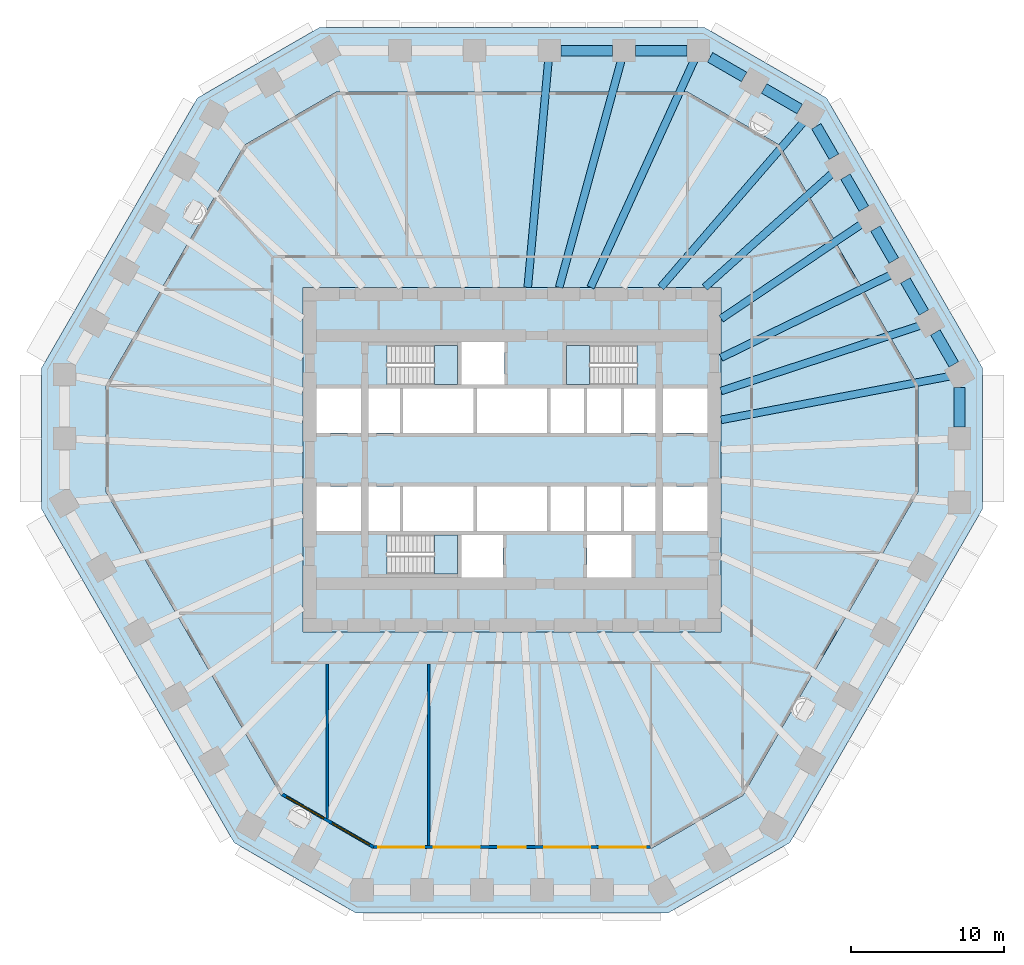
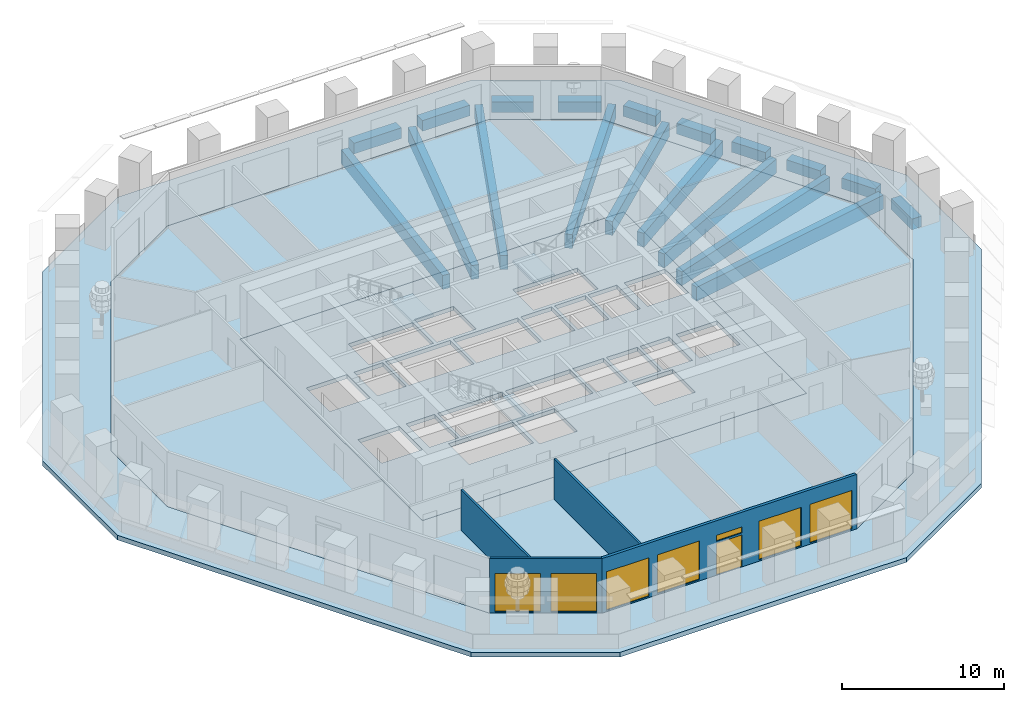
# One storey, part 2 of 12: 19 beams, 7 windows, 6 slabs, 4 walls, 1 door, 8 openings, 3 elements without a shape of their own.
"""IFC4 building model written with IfcOpenShell, lengths in metres."""

from ifc_helpers import new_model, si_unit, direction, frame, frame_2d, origin, origin_2d, place, context, subcontext, project, spatial, polyline, rectangle, outline, extrude, material, layer, layer_set, material_profile, profile_set, type_object, element, fill, aggregate, save


model = new_model("IFC4")

# Units and contexts
model_context = context("Model", 3, precision=1e-05, world=origin(), true_north=direction((0.0, 1.0)))
body_context = subcontext(model_context, "Body", "Model", "MODEL_VIEW")
ifc_project = project(units=[si_unit("LENGTHUNIT", "METRE"), si_unit("AREAUNIT", "SQUARE_METRE"), si_unit("VOLUMEUNIT", "CUBIC_METRE"), si_unit("PLANEANGLEUNIT", "RADIAN"), si_unit("MASSUNIT", "GRAM", prefix="KILO")], contexts=[model_context])

# Site, building, storey
site_placement = place(None, origin())
site = spatial("IfcSite", under=ifc_project, at=site_placement, CompositionType="ELEMENT")
building_placement = place(site_placement, origin())
building = spatial("IfcBuilding", under=site, at=building_placement, Name="Frailejon Research Tower", CompositionType="ELEMENT")
storey_placement = place(building_placement, frame((0.0, 0.0, 58.60009765625)))
storey = spatial("IfcBuildingStorey", under=building, at=storey_placement, Name="L13", CompositionType="ELEMENT", Elevation=58.60009765625)

# Beams
ifc_material_1 = material(Name="Concrete C60/75", Category="concrete")
ifc_material_profile_1 = material_profile(ifc_material_1, rectangle(XDim=0.5, YDim=1.050048828125, at=origin_2d()), Name="Girder 500x1050")
ifc_profile_set_1 = profile_set([ifc_material_profile_1], Name="Concrete C60/75")
beam_type_1 = type_object("IfcBeamType", Name="Girder 500x1050", PredefinedType="BEAM", material=ifc_profile_set_1)
beam_1_placement = place(storey_placement, frame((28.578369140625, 5.44970703125, -0.8251953125), z_axis=(-0.982297344318, -0.187328394395, 0.0), x_axis=(0.187328394395, -0.982297344318, 0.0)))
element("IfcBeam", 1, at=beam_1_placement, inside=storey, type_object=beam_type_1, Name="Girder 500x1050", PredefinedType="BEAM", context=body_context, shape_type="SweptSolid", body=[
    extrude(rectangle(XDim=0.5, YDim=1.050048828125, at=origin_2d()), origin(), (0.0, 0.0, 1.0), 15.197509765625),
])
beam_2_placement = place(storey_placement, frame((26.66943359375, 8.766357421875, -0.8251953125), z_axis=(-0.949995064088, -0.312264916712, 0.0), x_axis=(0.312264916712, -0.949995064088, 0.0)))
element("IfcBeam", 2, at=beam_2_placement, inside=storey, type_object=beam_type_1, Name="Girder 500x1050", PredefinedType="BEAM", context=body_context, shape_type="SweptSolid", body=[
    extrude(rectangle(XDim=0.5, YDim=1.050048828125, at=origin_2d()), origin(), (0.0, 0.0, 1.0), 13.704833984375),
])
beam_3_placement = place(storey_placement, frame((24.7578125, 12.083251953125, -0.8251953125), z_axis=(-0.898683953103, -0.43859679939, 0.0), x_axis=(0.43859679939, -0.898683953103, 0.0)))
element("IfcBeam", 3, at=beam_3_placement, inside=storey, type_object=beam_type_1, Name="Girder 500x1050", PredefinedType="BEAM", context=body_context, shape_type="SweptSolid", body=[
    extrude(rectangle(XDim=0.5, YDim=1.050048828125, at=origin_2d()), origin(), (0.0, 0.0, 1.0), 12.360107421875),
])
beam_4_placement = place(storey_placement, frame((22.84326171875, 15.399169921875, -0.8251953125), z_axis=(-0.82919365434, -0.558961433019, 0.0), x_axis=(0.558961433019, -0.82919365434, 0.0)))
element("IfcBeam", 4, at=beam_4_placement, inside=storey, type_object=beam_type_1, Name="Girder 500x1050", PredefinedType="BEAM", context=body_context, shape_type="SweptSolid", body=[
    extrude(rectangle(XDim=0.5, YDim=1.050048828125, at=origin_2d()), origin(), (0.0, 0.0, 1.0), 11.087158203125),
])
beam_5_placement = place(storey_placement, frame((20.926513671875, 18.713134765625, -0.8251953125), z_axis=(-0.745431765293, -0.666581940419, 0.0), x_axis=(0.666581940419, -0.745431765293, 0.0)))
element("IfcBeam", 5, at=beam_5_placement, inside=storey, type_object=beam_type_1, Name="Girder 500x1050", PredefinedType="BEAM", context=body_context, shape_type="SweptSolid", body=[
    extrude(rectangle(XDim=0.5, YDim=1.050048828125, at=origin_2d()), origin(), (0.0, 0.0, 1.0), 11.196044921875),
])
beam_6_placement = place(storey_placement, frame((19.02880859375, 22.0478515625, -0.8251953125), z_axis=(-0.653375625699, -0.757033877539, 0.0), x_axis=(0.757033877539, -0.653375625699, 0.0)))
element("IfcBeam", 6, at=beam_6_placement, inside=storey, type_object=beam_type_1, Name="Girder 500x1050", PredefinedType="BEAM", context=body_context, shape_type="SweptSolid", body=[
    extrude(rectangle(XDim=0.5, YDim=1.050048828125, at=origin_2d()), origin(), (0.0, 0.0, 1.0), 14.263427734375),
])
beam_7_placement = place(storey_placement, frame((11.896728515625, 26.08642578125, -0.8251953125), z_axis=(-0.414935166757, -0.909850980869, 0.0), x_axis=(0.909850980869, -0.414935166757, 0.0)))
element("IfcBeam", 7, at=beam_7_placement, inside=storey, type_object=beam_type_1, Name="Girder 500x1050", PredefinedType="BEAM", context=body_context, shape_type="SweptSolid", body=[
    extrude(rectangle(XDim=0.5, YDim=1.050048828125, at=origin_2d()), origin(), (0.0, 0.0, 1.0), 16.306396484375),
])
beam_8_placement = place(storey_placement, frame((7.140380859375, 26.0947265625, -0.8251953125), z_axis=(-0.263930724671, -0.964541638591, 0.0), x_axis=(0.964541638591, -0.263930724671, 0.0)))
element("IfcBeam", 8, at=beam_8_placement, inside=storey, type_object=beam_type_1, Name="Girder 500x1050", PredefinedType="BEAM", context=body_context, shape_type="SweptSolid", body=[
    extrude(rectangle(XDim=0.5, YDim=1.050048828125, at=origin_2d()), origin(), (0.0, 0.0, 1.0), 15.390380859375),
])
beam_9_placement = place(storey_placement, frame((2.380615234375, 26.099365234375, -0.8251953125), z_axis=(-0.090838377195, -0.995865648182, 0.0), x_axis=(0.995865648182, -0.090838377195, 0.0)))
element("IfcBeam", 9, at=beam_9_placement, inside=storey, type_object=beam_type_1, Name="Girder 500x1050", PredefinedType="BEAM", context=body_context, shape_type="SweptSolid", body=[
    extrude(rectangle(XDim=0.5, YDim=1.050048828125, at=origin_2d()), origin(), (0.0, 0.0, 1.0), 14.9111328125),
])
ifc_material_2 = material(Name="Concrete C60/75", Category="concrete")
ifc_material_profile_2 = material_profile(ifc_material_2, rectangle(XDim=0.699951171875, YDim=0.800048828125, at=origin_2d()), Name="Spandrel 700x800")
ifc_profile_set_2 = profile_set([ifc_material_profile_2], Name="Concrete C60/75")
beam_type_2 = type_object("IfcBeamType", Name="Spandrel 700x800", PredefinedType="BEAM", material=ifc_profile_set_2)
beam_10_placement = place(storey_placement, frame((29.211181640625, 2.1328125, -0.75), z_axis=(0.0, 1.0, 0.0), x_axis=(-1.0, 0.0, 0.0)))
element("IfcBeam", 10, at=beam_10_placement, inside=storey, type_object=beam_type_2, Name="Spandrel 700x800", PredefinedType="BEAM", context=body_context, shape_type="SweptSolid", body=[
    extrude(rectangle(XDim=0.699951171875, YDim=0.800048828125, at=origin_2d()), origin(), (0.0, 0.0, 1.0), 2.571533203125),
])
beam_11_placement = place(storey_placement, frame((28.836181640625, 6.2197265625, -0.75), z_axis=(-0.500002762329, 0.866023808947, 0.0), x_axis=(-0.866023808947, -0.500002762329, 0.0)))
element("IfcBeam", 11, at=beam_11_placement, inside=storey, type_object=beam_type_2, Name="Spandrel 700x800", PredefinedType="BEAM", context=body_context, shape_type="SweptSolid", body=[
    extrude(rectangle(XDim=0.699951171875, YDim=0.800048828125, at=origin_2d()), origin(), (0.0, 0.0, 1.0), 2.41259765625),
])
for number, where, z_axis, x_axis, name in (
    (12, (26.8798828125, 9.608154296875, -0.75), (-0.499958946799, 0.866049104564, 0.0), (-0.866049104564, -0.499958946799, 0.0), "Spandrel 700x800"),
    (13, (24.923583984375, 12.99658203125, -0.75), (-0.499958946799, 0.866049104564, 0.0), (-0.866049104564, -0.499958946799, 0.0), "Spandrel 700x800"),
    (14, (22.96728515625, 16.385009765625, -0.75), (-0.499958946799, 0.866049104564, 0.0), (-0.866049104564, -0.499958946799, 0.0), "Spandrel 700x800"),
):
    element("IfcBeam", number, at=place(storey_placement, frame(where, z_axis=z_axis, x_axis=x_axis)), inside=storey, type_object=beam_type_2, Name=name, PredefinedType="BEAM", context=body_context, shape_type="SweptSolid", body=[
        extrude(rectangle(XDim=0.699951171875, YDim=0.800048828125, at=origin_2d()), origin(), (0.0, 0.0, 1.0), 2.412841796875),
    ])
beam_12_placement = place(storey_placement, frame((21.010986328125, 19.7734375, -0.75), z_axis=(-0.500026097828, 0.866010335672, 0.0), x_axis=(-0.866010335672, -0.500026097828, 0.0)))
element("IfcBeam", 15, at=beam_12_placement, inside=storey, type_object=beam_type_2, Name="Spandrel 700x800", PredefinedType="BEAM", context=body_context, shape_type="SweptSolid", body=[
    extrude(rectangle(XDim=0.699951171875, YDim=0.800048828125, at=origin_2d()), origin(), (0.0, 0.0, 1.0), 2.296875),
])
beam_13_placement = place(storey_placement, frame((18.780029296875, 22.887451171875, -0.75), z_axis=(-0.866020687897, 0.500008168067, 0.0), x_axis=(-0.500008168067, -0.866020687897, 0.0)))
element("IfcBeam", 16, at=beam_13_placement, inside=storey, type_object=beam_type_2, Name="Spandrel 700x800", PredefinedType="BEAM", context=body_context, shape_type="SweptSolid", body=[
    extrude(rectangle(XDim=0.699951171875, YDim=0.800048828125, at=origin_2d()), origin(), (0.0, 0.0, 1.0), 2.6875),
])
beam_14_placement = place(storey_placement, frame((15.153564453125, 24.981201171875, -0.75), z_axis=(-0.866008514048, 0.50002925274, 0.0), x_axis=(-0.50002925274, -0.866008514048, 0.0)))
element("IfcBeam", 17, at=beam_14_placement, inside=storey, type_object=beam_type_2, Name="Spandrel 700x800", PredefinedType="BEAM", context=body_context, shape_type="SweptSolid", body=[
    extrude(rectangle(XDim=0.699951171875, YDim=0.800048828125, at=origin_2d()), origin(), (0.0, 0.0, 1.0), 2.571533203125),
])
for number, where, z_axis, x_axis, name in (
    (18, (11.426513671875, 26.699951171875, -0.75), (-1.0, 0.0, 0.0), (0.0, -1.0, 0.0), "Spandrel 700x800"),
    (19, (6.555908203125, 26.699951171875, -0.75), (-1.0, 0.0, 0.0), (0.0, -1.0, 0.0), "Spandrel 700x800"),
):
    element("IfcBeam", number, at=place(storey_placement, frame(where, z_axis=z_axis, x_axis=x_axis)), inside=storey, type_object=beam_type_2, Name=name, PredefinedType="BEAM", context=body_context, shape_type="SweptSolid", body=[
        extrude(rectangle(XDim=0.699951171875, YDim=0.800048828125, at=origin_2d()), origin(), (0.0, 0.0, 1.0), 3.37060546875),
    ])

# Slabs
ifc_material_3 = material(Name="Concrete C70/85", Category="concrete")
ifc_layer_1 = layer(ifc_material_3, 0.300048828125)
ifc_layer_set_1 = layer_set([ifc_layer_1], Name="Core floor slab 300 C70/85")
slab_type_1 = type_object("IfcSlabType", Name="Core floor slab 300 C70/85", PredefinedType="FLOOR", material=ifc_layer_set_1)
slab_1_placement = place(storey_placement, frame((0.0, 0.0, -0.300048828125)))
element("IfcSlab", 20, at=slab_1_placement, inside=storey, type_object=slab_type_1, Name="Core floor slab", PredefinedType="FLOOR", context=body_context, shape_type="SweptSolid", body=[
    extrude(outline(polyline([(13.64990234375, -11.25), (13.64990234375, 11.25), (-13.64990234375, 11.25), (-13.64990234375, -11.25), (13.64990234375, -11.25)]), holes=[polyline([(-9.85009765625, 1.75), (-9.85009765625, 4.64990234375), (-12.75, 4.64990234375), (-12.75, 1.75), (-9.85009765625, 1.75)]), polyline([(-7.300048828125, 1.75), (-7.300048828125, 4.64990234375), (-9.35009765625, 4.64990234375), (-9.35009765625, 1.75), (-7.300048828125, 1.75)]), polyline([(-2.5, 1.75), (-2.5, 4.64990234375), (-7.10009765625, 4.64990234375), (-7.10009765625, 1.75), (-2.5, 1.75)]), polyline([(2.300048828125, 1.75), (2.300048828125, 4.64990234375), (-2.300048828125, 4.64990234375), (-2.300048828125, 1.75), (2.300048828125, 1.75)]), polyline([(4.699951171875, 1.75), (4.699951171875, 4.64990234375), (2.5, 4.64990234375), (2.5, 1.75), (4.699951171875, 1.75)]), polyline([(7.10009765625, 1.75), (7.10009765625, 4.64990234375), (4.89990234375, 4.64990234375), (4.89990234375, 1.75), (7.10009765625, 1.75)]), polyline([(9.35009765625, 1.75), (9.35009765625, 4.64990234375), (7.300048828125, 4.64990234375), (7.300048828125, 1.75), (9.35009765625, 1.75)]), polyline([(12.75, 1.75), (12.75, 4.64990234375), (9.85009765625, 4.64990234375), (9.85009765625, 1.75), (12.75, 1.75)]), polyline([(-9.85009765625, -4.64990234375), (-9.85009765625, -1.75), (-12.75, -1.75), (-12.75, -4.64990234375), (-9.85009765625, -4.64990234375)]), polyline([(-7.300048828125, -4.64990234375), (-7.300048828125, -1.75), (-9.35009765625, -1.75), (-9.35009765625, -4.64990234375), (-7.300048828125, -4.64990234375)]), polyline([(-2.5, -4.64990234375), (-2.5, -1.75), (-7.10009765625, -1.75), (-7.10009765625, -4.64990234375), (-2.5, -4.64990234375)]), polyline([(2.300048828125, -4.64990234375), (2.300048828125, -1.75), (-2.300048828125, -1.75), (-2.300048828125, -4.64990234375), (2.300048828125, -4.64990234375)]), polyline([(4.699951171875, -4.64990234375), (4.699951171875, -1.75), (2.5, -1.75), (2.5, -4.64990234375), (4.699951171875, -4.64990234375)]), polyline([(7.10009765625, -4.64990234375), (7.10009765625, -1.75), (4.89990234375, -1.75), (4.89990234375, -4.64990234375), (7.10009765625, -4.64990234375)]), polyline([(9.35009765625, -4.64990234375), (9.35009765625, -1.75), (7.300048828125, -1.75), (7.300048828125, -4.64990234375), (9.35009765625, -4.64990234375)]), polyline([(12.75, -4.64990234375), (12.75, -1.75), (9.85009765625, -1.75), (9.85009765625, -4.64990234375), (12.75, -4.64990234375)]), polyline([(-8.14697265625, 4.89990234375), (-3.550048828125, 4.89990234375), (-3.550048828125, 7.449951171875), (-8.14697265625, 7.449951171875), (-8.14697265625, 4.89990234375)]), polyline([(-8.14697265625, -7.449951171875), (-3.550048828125, -7.449951171875), (-3.550048828125, -4.89990234375), (-8.14697265625, -4.89990234375), (-8.14697265625, -7.449951171875)]), polyline([(8.14697265625, 7.449951171875), (3.550048828125, 7.449951171875), (3.550048828125, 4.89990234375), (8.14697265625, 4.89990234375), (8.14697265625, 7.449951171875)]), polyline([(-0.60009765625, -7.699951171875), (-0.60009765625, -4.89990234375), (-3.300048828125, -4.89990234375), (-3.300048828125, -7.699951171875), (-0.60009765625, -7.699951171875)]), polyline([(7.800048828125, -7.699951171875), (7.800048828125, -4.89990234375), (4.89990234375, -4.89990234375), (4.89990234375, -7.699951171875), (7.800048828125, -7.699951171875)]), polyline([(-0.5, 4.89990234375), (-0.5, 7.699951171875), (-3.300048828125, 7.699951171875), (-3.300048828125, 4.89990234375), (-0.5, 4.89990234375)])]), origin(), (0.0, 0.0, 1.0), 0.300048828125),
])
ifc_material_4 = material(Name="Concrete C40/50", Category="concrete")
ifc_layer_2 = layer(ifc_material_4, 0.35009765625)
ifc_layer_set_2 = layer_set([ifc_layer_2], Name="Loggia slab 350")
slab_type_2 = type_object("IfcSlabType", Name="Loggia slab 350", PredefinedType="USERDEFINED", material=ifc_layer_set_2)
slab_2_placement = place(storey_placement, frame((0.0, 0.0, -0.35009765625)))
element("IfcSlab", 21, at=slab_2_placement, inside=storey, type_object=slab_type_2, Name="Loggia slab L13", ObjectType="LOGGIA", PredefinedType="USERDEFINED", context=body_context, shape_type="SweptSolid", body=[
    extrude(outline(polyline([(18.1328125, -24.993408203125), (10.18359375, -29.582763671875), (-10.18359375, -29.582763671875), (-18.1328125, -24.993408203125), (-30.711181640625, -3.206787109375), (-30.711181640625, 5.97216796875), (-20.527587890625, 23.610595703125), (-12.57861328125, 28.199951171875), (12.57861328125, 28.199951171875), (20.527587890625, 23.610595703125), (30.711181640625, 5.97216796875), (30.711181640625, -3.206787109375), (18.1328125, -24.993408203125)]), holes=[polyline([(26.510986328125, 4.846923828125), (17.453125, 20.535888671875), (11.453125, 24.0), (-11.453125, 24.0), (-17.453125, 20.535888671875), (-26.510986328125, 4.846923828125), (-26.510986328125, -2.081298828125), (-15.05810546875, -21.918701171875), (-9.05810546875, -25.3828125), (9.05810546875, -25.3828125), (15.05810546875, -21.918701171875), (26.510986328125, -2.081298828125), (26.510986328125, 4.846923828125)])]), origin(), (0.0, 0.0, 1.0), 0.35009765625),
])
ifc_material_5 = material(Name="Concrete C40/50", Category="concrete")
ifc_layer_3 = layer(ifc_material_5, 0.300048828125)
ifc_layer_set_3 = layer_set([ifc_layer_3], Name="Slab typical 300")
slab_type_3 = type_object("IfcSlabType", Name="Slab typical 300", PredefinedType="FLOOR", material=ifc_layer_set_3)
slab_3_placement = place(storey_placement, frame((0.0, 0.0, -0.300048828125)))
element("IfcSlab", 22, at=slab_3_placement, inside=storey, type_object=slab_type_3, Name="Floor slab L13", PredefinedType="FLOOR", context=body_context, shape_type="SweptSolid", body=[
    extrude(outline(polyline([(26.510986328125, -2.081298828125), (26.510986328125, 4.846923828125), (17.453125, 20.535888671875), (11.453125, 24.0), (-11.453125, 24.0), (-17.453125, 20.535888671875), (-26.510986328125, 4.846923828125), (-26.510986328125, -2.081298828125), (-15.05810546875, -21.918701171875), (-9.05810546875, -25.3828125), (9.05810546875, -25.3828125), (15.05810546875, -21.918701171875), (26.510986328125, -2.081298828125)]), holes=[polyline([(13.64990234375, -11.25), (-13.64990234375, -11.25), (-13.64990234375, 11.25), (13.64990234375, 11.25), (13.64990234375, -11.25)])]), origin(), (0.0, 0.0, 1.0), 0.300048828125),
])

# Stair, slab
ifc_material_6 = material(Name="Concrete C50/60", Category="concrete")
stair_type = type_object("IfcStairType", Name="Exit stair 24 risers", PredefinedType="HALF_TURN_STAIR", material=ifc_material_6)
stair_1_placement = place(storey_placement, origin())
stair_1 = element("IfcStair", 23, at=stair_1_placement, inside=storey, type_object=stair_type, Name="L13 Exit stair ST1", PredefinedType="HALF_TURN_STAIR")
ifc_material_7 = material(Name="Concrete C50/60", Category="concrete")
ifc_layer_4 = layer(ifc_material_7, 0.199951171875)
ifc_layer_set_4 = layer_set([ifc_layer_4], Name="Stair landing slab 200")
slab_type_4 = type_object("IfcSlabType", Name="Stair landing slab 200", PredefinedType="LANDING", material=ifc_layer_set_4)
slab_4_placement = place(storey_placement, frame((0.0, 0.0, 2.0)))
slab_4 = element("IfcSlab", 24, at=slab_4_placement, type_object=slab_type_4, Name="ST1 landing 1", PredefinedType="LANDING", context=body_context, shape_type="SweptSolid", body=[
    extrude(outline(polyline([(-5.070068359375, 4.89990234375), (-3.550048828125, 4.89990234375), (-3.550048828125, 7.449951171875), (-5.070068359375, 7.449951171875), (-5.070068359375, 4.89990234375)])), origin(), (0.0, 0.0, 1.0), 0.199951171875),
])
aggregate(stair_1, [slab_4])

stair_2_placement = place(storey_placement, origin())
stair_2 = element("IfcStair", 25, at=stair_2_placement, inside=storey, type_object=stair_type, Name="L13 Exit stair ST2", PredefinedType="HALF_TURN_STAIR")
slab_5_placement = place(storey_placement, frame((0.0, 0.0, 2.0)))
slab_5 = element("IfcSlab", 26, at=slab_5_placement, type_object=slab_type_4, Name="ST2 landing 1", PredefinedType="LANDING", context=body_context, shape_type="SweptSolid", body=[
    extrude(outline(polyline([(-5.070068359375, -7.449951171875), (-3.550048828125, -7.449951171875), (-3.550048828125, -4.89990234375), (-5.070068359375, -4.89990234375), (-5.070068359375, -7.449951171875)])), origin(), (0.0, 0.0, 1.0), 0.199951171875),
])
aggregate(stair_2, [slab_5])

stair_3_placement = place(storey_placement, origin())
stair_3 = element("IfcStair", 27, at=stair_3_placement, inside=storey, type_object=stair_type, Name="L13 Exit stair ST3", PredefinedType="HALF_TURN_STAIR")
slab_6_placement = place(storey_placement, frame((0.0, 0.0, 2.0)))
slab_6 = element("IfcSlab", 28, at=slab_6_placement, type_object=slab_type_4, Name="ST3 landing 1", PredefinedType="LANDING", context=body_context, shape_type="SweptSolid", body=[
    extrude(outline(polyline([(5.070068359375, 7.449951171875), (3.550048828125, 7.449951171875), (3.550048828125, 4.89990234375), (5.070068359375, 4.89990234375), (5.070068359375, 7.449951171875)])), origin(), (0.0, 0.0, 1.0), 0.199951171875),
])
aggregate(stair_3, [slab_6])

# Walls
ifc_material_8 = material(Name="Gypsum board and masonry partition", Category="masonry")
ifc_layer_5 = layer(ifc_material_8, 0.14990234375)
ifc_layer_set_5 = layer_set([ifc_layer_5], Name="Laboratory partition, blockwork 150")
wall_type_1 = type_object("IfcWallType", Name="Laboratory partition, blockwork 150", PredefinedType="PARTITIONING", material=ifc_layer_set_5)
wall_1_placement = place(storey_placement, frame((-12.05810546875, -23.419921875, 0.0), z_axis=(0.0, 0.0, 1.0), x_axis=(0.0, 1.0, 0.0)))
element("IfcWall", 29, at=wall_1_placement, inside=storey, type_object=wall_type_1, Name="T:IW:L13:013", PredefinedType="PARTITIONING", context=body_context, shape_type="SweptSolid", body=[
    extrude(rectangle(XDim=10.094970703125, YDim=0.14990234375, at=frame_2d((5.04736328125, 0.0))), origin(), (0.0, 0.0, 1.0), 3.0498046875),
])
wall_2_placement = place(storey_placement, frame((-5.434814453125, -25.182861328125, 0.0), z_axis=(0.0, 0.0, 1.0), x_axis=(0.0, 1.0, 0.0)))
element("IfcWall", 30, at=wall_2_placement, inside=storey, type_object=wall_type_1, Name="T:IW:L13:014", PredefinedType="PARTITIONING", context=body_context, shape_type="SweptSolid", body=[
    extrude(rectangle(XDim=11.85791015625, YDim=0.14990234375, at=frame_2d((5.928955078125, 0.0))), origin(), (0.0, 0.0, 1.0), 3.0498046875),
])

# Wall, openings, windows
ifc_material_9 = material(Name="Concrete C40/50 precast window wall panel", Category="concrete")
ifc_layer_6 = layer(ifc_material_9, 0.199951171875)
ifc_layer_set_6 = layer_set([ifc_layer_6], Name="Window wall 200")
wall_type_2 = type_object("IfcWallType", Name="Window wall 200", PredefinedType="SOLIDWALL", material=ifc_layer_set_6)
wall_3_placement = place(storey_placement, frame((-14.98486328125, -21.845458984375, 0.0), z_axis=(0.0, 0.0, 1.0), x_axis=(0.866029458321, -0.49999297727, 0.0)))
wall_3 = element("IfcWall", 31, at=wall_3_placement, inside=storey, type_object=wall_type_2, Name="Exterior wall L13", PredefinedType="SOLIDWALL", context=body_context, shape_type="SweptSolid", body=[
    extrude(outline(polyline([(-0.02685546875, -0.10009765625), (1.1279296875, -0.10009765625), (2.282470703125, -0.10009765625), (3.437255859375, -0.10009765625), (4.592041015625, -0.10009765625), (5.74658203125, -0.10009765625), (6.9013671875, -0.10009765625), (6.84765625, 0.10009765625), (5.7109375, 0.10009765625), (4.573974609375, 0.10009765625), (3.437255859375, 0.10009765625), (2.300537109375, 0.10009765625), (1.16357421875, 0.10009765625), (0.02685546875, 0.10009765625), (-0.02685546875, -0.10009765625)])), origin(), (0.0, 0.0, 1.0), 4.099853515625),
])
opening_1_placement = place(wall_3_placement, frame((0.318603515625, 0.0, 0.10009765625)))
opening_1 = element("IfcOpeningElement", 32, at=opening_1_placement, cuts=wall_3, Name="Opening W3", PredefinedType="OPENING", context=body_context, shape_type="SweptSolid", body=[
    extrude(rectangle(XDim=2.800048828125, YDim=2.89990234375, at=frame_2d((1.39990234375, 1.449951171875))), frame((0.0, 0.10986328125, 0.0), z_axis=(0.0, -1.0, 0.0), x_axis=(1.0, 0.0, 0.0)), (0.0, 0.0, 1.0), 0.219970703125),
])
opening_2_placement = place(wall_3_placement, frame((3.756103515625, 0.0, 0.10009765625)))
opening_2 = element("IfcOpeningElement", 33, at=opening_2_placement, cuts=wall_3, Name="Opening W3", PredefinedType="OPENING", context=body_context, shape_type="SweptSolid", body=[
    extrude(rectangle(XDim=2.800048828125, YDim=2.89990234375, at=frame_2d((1.39990234375, 1.449951171875))), frame((0.0, 0.10986328125, 0.0), z_axis=(0.0, -1.0, 0.0), x_axis=(1.0, 0.0, 0.0)), (0.0, 0.0, 1.0), 0.219970703125),
])
ifc_material_10 = material(Name="Aluminium framed double glazing", Category="aluminium")
window_type_1 = type_object("IfcWindowType", Name="Window 2800x2900", PartitioningType="SINGLE_PANEL", PredefinedType="WINDOW", material=ifc_material_10)
window_1_placement = place(opening_1_placement, origin())
window_1 = element("IfcWindow", 34, at=window_1_placement, inside=storey, type_object=window_type_1, Name="Window L13", OverallHeight=2.89990234375, OverallWidth=2.800048828125, PartitioningType="SINGLE_PANEL", PredefinedType="WINDOW", context=body_context, shape_type="SweptSolid", body=[
    extrude(rectangle(XDim=2.800048828125, YDim=2.89990234375, at=frame_2d((1.39990234375, 1.449951171875))), frame((0.0, 0.030029296875, 0.0), z_axis=(0.0, -1.0, 0.0), x_axis=(1.0, 0.0, 0.0)), (0.0, 0.0, 1.0), 0.06005859375),
])
fill(opening_1, window_1)
window_2_placement = place(opening_2_placement, origin())
window_2 = element("IfcWindow", 35, at=window_2_placement, inside=storey, type_object=window_type_1, Name="Window L13", OverallHeight=2.89990234375, OverallWidth=2.800048828125, PartitioningType="SINGLE_PANEL", PredefinedType="WINDOW", context=body_context, shape_type="SweptSolid", body=[
    extrude(rectangle(XDim=2.800048828125, YDim=2.89990234375, at=frame_2d((1.39990234375, 1.449951171875))), frame((0.0, 0.030029296875, 0.0), z_axis=(0.0, -1.0, 0.0), x_axis=(1.0, 0.0, 0.0)), (0.0, 0.0, 1.0), 0.06005859375),
])
fill(opening_2, window_2)

# Wall, openings, door, windows
wall_4_placement = place(storey_placement, frame((-9.03125, -25.28271484375, 0.0), z_axis=(0.0, 0.0, 1.0), x_axis=(1.0, 0.0, 0.0)))
wall_4 = element("IfcWall", 36, at=wall_4_placement, inside=storey, type_object=wall_type_2, Name="Exterior wall L13", PredefinedType="SOLIDWALL", context=body_context, shape_type="SweptSolid", body=[
    extrude(outline(polyline([(-0.02685546875, -0.10009765625), (0.9794921875, -0.10009765625), (1.986083984375, -0.10009765625), (2.992431640625, -0.10009765625), (3.9990234375, -0.10009765625), (5.00537109375, -0.10009765625), (6.011962890625, -0.10009765625), (7.018310546875, -0.10009765625), (8.02490234375, -0.10009765625), (9.03125, -0.10009765625), (10.03759765625, -0.10009765625), (11.044189453125, -0.10009765625), (12.050537109375, -0.10009765625), (13.05712890625, -0.10009765625), (14.0634765625, -0.10009765625), (15.070068359375, -0.10009765625), (16.076416015625, -0.10009765625), (17.0830078125, -0.10009765625), (18.08935546875, -0.10009765625), (18.03564453125, 0.10009765625), (17.03515625, 0.10009765625), (16.03466796875, 0.10009765625), (15.0341796875, 0.10009765625), (14.03369140625, 0.10009765625), (13.033203125, 0.10009765625), (12.03271484375, 0.10009765625), (11.0322265625, 0.10009765625), (10.03173828125, 0.10009765625), (9.03125, 0.10009765625), (8.03076171875, 0.10009765625), (7.0302734375, 0.10009765625), (6.02978515625, 0.10009765625), (5.029296875, 0.10009765625), (4.02880859375, 0.10009765625), (3.0283203125, 0.10009765625), (2.02783203125, 0.10009765625), (1.02734375, 0.10009765625), (0.02685546875, 0.10009765625), (-0.02685546875, -0.10009765625)])), origin(), (0.0, 0.0, 1.0), 4.099853515625),
])
opening_3_placement = place(wall_4_placement, frame((0.306396484375, 0.0, 0.10009765625)))
opening_3 = element("IfcOpeningElement", 37, at=opening_3_placement, cuts=wall_4, Name="Opening W4", PredefinedType="OPENING", context=body_context, shape_type="SweptSolid", body=[
    extrude(rectangle(XDim=3.0, YDim=2.89990234375, at=frame_2d((1.5, 1.449951171875))), frame((0.0, 0.10986328125, 0.0), z_axis=(0.0, -1.0, 0.0), x_axis=(1.0, 0.0, 0.0)), (0.0, 0.0, 1.0), 0.219970703125),
])
opening_4_placement = place(wall_4_placement, frame((3.918701171875, 0.0, 0.10009765625)))
opening_4 = element("IfcOpeningElement", 38, at=opening_4_placement, cuts=wall_4, Name="Opening W4", PredefinedType="OPENING", context=body_context, shape_type="SweptSolid", body=[
    extrude(rectangle(XDim=3.0, YDim=2.89990234375, at=frame_2d((1.5, 1.449951171875))), frame((0.0, 0.10986328125, 0.0), z_axis=(0.0, -1.0, 0.0), x_axis=(1.0, 0.0, 0.0)), (0.0, 0.0, 1.0), 0.219970703125),
])
opening_5_placement = place(wall_4_placement, frame((8.13134765625, 0.0, 0.0)))
opening_5 = element("IfcOpeningElement", 39, at=opening_5_placement, cuts=wall_4, Name="Opening LG13-5", PredefinedType="OPENING", context=body_context, shape_type="SweptSolid", body=[
    extrude(rectangle(XDim=1.800048828125, YDim=2.39990234375, at=frame_2d((0.89990234375, 1.199951171875))), frame((0.0, 0.10986328125, 0.0), z_axis=(0.0, -1.0, 0.0), x_axis=(1.0, 0.0, 0.0)), (0.0, 0.0, 1.0), 0.219970703125),
])
opening_6_placement = place(wall_4_placement, frame((8.13134765625, 0.0, 2.550048828125)))
opening_6 = element("IfcOpeningElement", 40, at=opening_6_placement, cuts=wall_4, Name="Opening W1", PredefinedType="OPENING", context=body_context, shape_type="SweptSolid", body=[
    extrude(rectangle(XDim=1.800048828125, YDim=0.449951171875, at=frame_2d((0.89990234375, 0.22509765625))), frame((0.0, 0.10986328125, 0.0), z_axis=(0.0, -1.0, 0.0), x_axis=(1.0, 0.0, 0.0)), (0.0, 0.0, 1.0), 0.219970703125),
])
opening_7_placement = place(wall_4_placement, frame((11.143798828125, 0.0, 0.10009765625)))
opening_7 = element("IfcOpeningElement", 41, at=opening_7_placement, cuts=wall_4, Name="Opening W4", PredefinedType="OPENING", context=body_context, shape_type="SweptSolid", body=[
    extrude(rectangle(XDim=3.0, YDim=2.89990234375, at=frame_2d((1.5, 1.449951171875))), frame((0.0, 0.10986328125, 0.0), z_axis=(0.0, -1.0, 0.0), x_axis=(1.0, 0.0, 0.0)), (0.0, 0.0, 1.0), 0.219970703125),
])
opening_8_placement = place(wall_4_placement, frame((14.75634765625, 0.0, 0.10009765625)))
opening_8 = element("IfcOpeningElement", 42, at=opening_8_placement, cuts=wall_4, Name="Opening W4", PredefinedType="OPENING", context=body_context, shape_type="SweptSolid", body=[
    extrude(rectangle(XDim=3.0, YDim=2.89990234375, at=frame_2d((1.5, 1.449951171875))), frame((0.0, 0.10986328125, 0.0), z_axis=(0.0, -1.0, 0.0), x_axis=(1.0, 0.0, 0.0)), (0.0, 0.0, 1.0), 0.219970703125),
])
ifc_material_11 = material(Name="Aluminium framed glazed door leaf", Category="aluminium")
door_type = type_object("IfcDoorType", Name="Loggia door 1800x2400", OperationType="DOUBLE_DOOR_SINGLE_SWING", PredefinedType="DOOR", material=ifc_material_11)
door_placement = place(opening_5_placement, origin())
door = element("IfcDoor", 43, at=door_placement, inside=storey, type_object=door_type, Name="Door LG13-5", OperationType="DOUBLE_DOOR_SINGLE_SWING", OverallHeight=2.39990234375, OverallWidth=1.800048828125, PredefinedType="DOOR", context=body_context, shape_type="SweptSolid", body=[
    extrude(rectangle(XDim=1.800048828125, YDim=2.39990234375, at=frame_2d((0.89990234375, 1.199951171875))), frame((0.0, 0.02490234375, 0.0), z_axis=(0.0, -1.0, 0.0), x_axis=(1.0, 0.0, 0.0)), (0.0, 0.0, 1.0), 0.050048828125),
])
fill(opening_5, door)
ifc_material_12 = material(Name="Aluminium framed double glazing", Category="aluminium")
window_type_2 = type_object("IfcWindowType", Name="Window 1800x450", PartitioningType="SINGLE_PANEL", PredefinedType="WINDOW", material=ifc_material_12)
window_3_placement = place(opening_6_placement, origin())
window_3 = element("IfcWindow", 44, at=window_3_placement, inside=storey, type_object=window_type_2, Name="Window L13", OverallHeight=0.449951171875, OverallWidth=1.800048828125, PartitioningType="SINGLE_PANEL", PredefinedType="WINDOW", context=body_context, shape_type="SweptSolid", body=[
    extrude(rectangle(XDim=1.800048828125, YDim=0.449951171875, at=frame_2d((0.89990234375, 0.22509765625))), frame((0.0, 0.030029296875, 0.0), z_axis=(0.0, -1.0, 0.0), x_axis=(1.0, 0.0, 0.0)), (0.0, 0.0, 1.0), 0.06005859375),
])
fill(opening_6, window_3)
ifc_material_13 = material(Name="Aluminium framed double glazing", Category="aluminium")
window_type_3 = type_object("IfcWindowType", Name="Window 3000x2900", PartitioningType="SINGLE_PANEL", PredefinedType="WINDOW", material=ifc_material_13)
window_4_placement = place(opening_3_placement, origin())
window_4 = element("IfcWindow", 45, at=window_4_placement, inside=storey, type_object=window_type_3, Name="Window L13", OverallHeight=2.89990234375, OverallWidth=3.0, PartitioningType="SINGLE_PANEL", PredefinedType="WINDOW", context=body_context, shape_type="SweptSolid", body=[
    extrude(rectangle(XDim=3.0, YDim=2.89990234375, at=frame_2d((1.5, 1.449951171875))), frame((0.0, 0.030029296875, 0.0), z_axis=(0.0, -1.0, 0.0), x_axis=(1.0, 0.0, 0.0)), (0.0, 0.0, 1.0), 0.06005859375),
])
fill(opening_3, window_4)
window_5_placement = place(opening_4_placement, origin())
window_5 = element("IfcWindow", 46, at=window_5_placement, inside=storey, type_object=window_type_3, Name="Window L13", OverallHeight=2.89990234375, OverallWidth=3.0, PartitioningType="SINGLE_PANEL", PredefinedType="WINDOW", context=body_context, shape_type="SweptSolid", body=[
    extrude(rectangle(XDim=3.0, YDim=2.89990234375, at=frame_2d((1.5, 1.449951171875))), frame((0.0, 0.030029296875, 0.0), z_axis=(0.0, -1.0, 0.0), x_axis=(1.0, 0.0, 0.0)), (0.0, 0.0, 1.0), 0.06005859375),
])
fill(opening_4, window_5)
window_6_placement = place(opening_7_placement, origin())
window_6 = element("IfcWindow", 47, at=window_6_placement, inside=storey, type_object=window_type_3, Name="Window L13", OverallHeight=2.89990234375, OverallWidth=3.0, PartitioningType="SINGLE_PANEL", PredefinedType="WINDOW", context=body_context, shape_type="SweptSolid", body=[
    extrude(rectangle(XDim=3.0, YDim=2.89990234375, at=frame_2d((1.5, 1.449951171875))), frame((0.0, 0.030029296875, 0.0), z_axis=(0.0, -1.0, 0.0), x_axis=(1.0, 0.0, 0.0)), (0.0, 0.0, 1.0), 0.06005859375),
])
fill(opening_7, window_6)
window_7_placement = place(opening_8_placement, origin())
window_7 = element("IfcWindow", 48, at=window_7_placement, inside=storey, type_object=window_type_3, Name="Window L13", OverallHeight=2.89990234375, OverallWidth=3.0, PartitioningType="SINGLE_PANEL", PredefinedType="WINDOW", context=body_context, shape_type="SweptSolid", body=[
    extrude(rectangle(XDim=3.0, YDim=2.89990234375, at=frame_2d((1.5, 1.449951171875))), frame((0.0, 0.030029296875, 0.0), z_axis=(0.0, -1.0, 0.0), x_axis=(1.0, 0.0, 0.0)), (0.0, 0.0, 1.0), 0.06005859375),
])
fill(opening_8, window_7)

save(model, "model.ifc")
